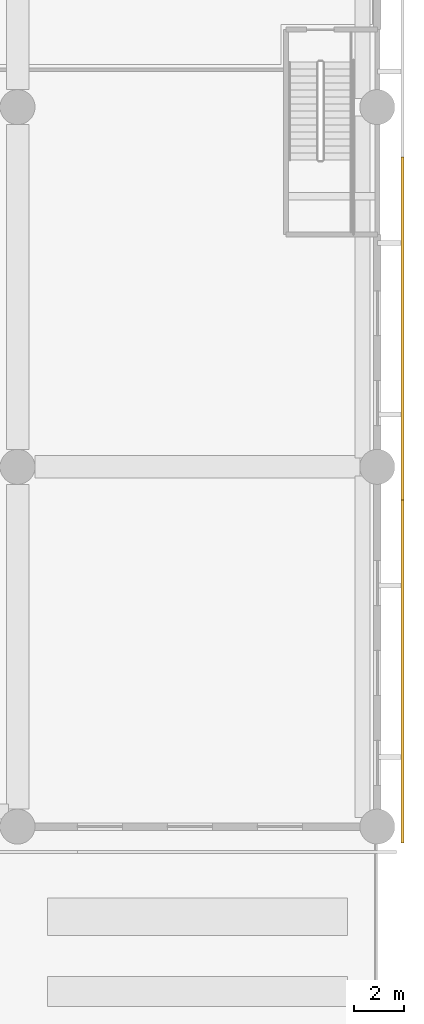
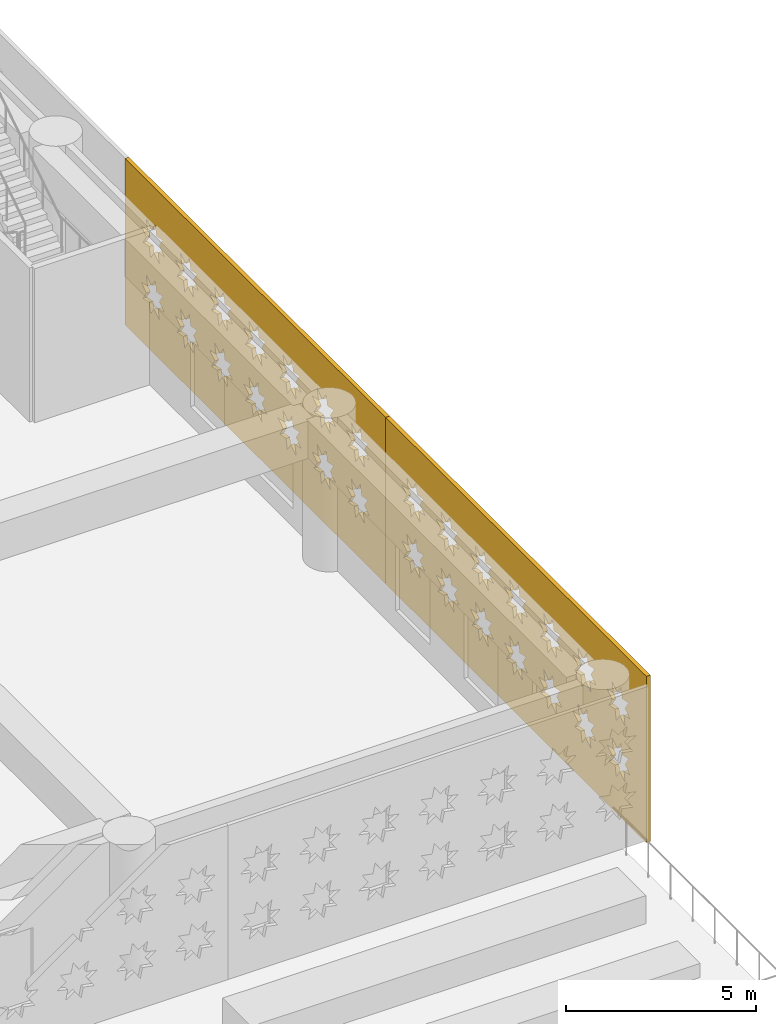
# One storey, part 18 of 24: 2 coverings.
"""IFC4 building model written with IfcOpenShell, lengths in metres."""

import ifcopenshell
import ifcopenshell.guid

model = None  # the IFC model being written
_history = None  # IfcOwnerHistory: only IFC2X3 demands one
_inside = {}  # id of a spatial element -> (the spatial element, [elements in it])
_under = {}  # id of a project, library or spatial element -> (it, [spatial elements below it])
_declared = {}  # id of a project -> (the project, [libraries it declares])
_typed = {}  # id of a type object -> (the type object, [elements of that type])
_made_of = {}  # id of a material, layer set ... -> (it, [elements and type objects made of it])


def new_model(schema):
    """Start an empty IFC model of exactly this schema.

    Asked for "IFC4X3", IfcOpenShell would pick the latest addendum, in which some entities
    have other attributes; the version numbers below select the first issue.
    IFC2X3 requires an IfcOwnerHistory on every rooted entity: one is made here for all.
    """
    global model, _history
    if schema == "IFC4X3":
        model = ifcopenshell.file(schema_version=(4, 3, 0, 0))
    else:
        model = ifcopenshell.file(schema=schema)
    _inside.clear()
    _under.clear()
    _declared.clear()
    _typed.clear()
    _made_of.clear()
    _history = None
    if model.schema == "IFC2X3":
        org = make("IfcOrganization", Name="unknown")
        user = make(
            "IfcPersonAndOrganization",
            ThePerson=make("IfcPerson", FamilyName="unknown"),
            TheOrganization=org,
        )
        app = make(
            "IfcApplication",
            ApplicationDeveloper=org,
            Version="unknown",
            ApplicationFullName="unknown",
            ApplicationIdentifier="unknown",
        )
        _history = make(
            "IfcOwnerHistory",
            OwningUser=user,
            OwningApplication=app,
            ChangeAction="ADDED",
            CreationDate=0,
        )
    return model


def make(cls, **values):
    """One entity of the class cls with the attributes given. An attribute that is None is left unset."""
    return model.create_entity(
        cls, **{name: value for name, value in values.items() if value is not None}
    )


def rooted(cls, **values):
    """An entity with a GlobalId (a new one), such as an element, a storey or a relation."""
    return make(cls, GlobalId=ifcopenshell.guid.new(), OwnerHistory=_history, **values)


def si_unit(unit_type, name, prefix=None):
    """IfcSIUnit, for example si_unit("LENGTHUNIT", "METRE", prefix="MILLI")."""
    return make("IfcSIUnit", UnitType=unit_type, Prefix=prefix, Name=name)


def assignment(units):
    """IfcUnitAssignment: the units of a project."""
    return None if units is None else make("IfcUnitAssignment", Units=units)


def point(xyz):
    """IfcCartesianPoint."""
    return None if xyz is None else make("IfcCartesianPoint", Coordinates=xyz)


def direction(xyz):
    """IfcDirection."""
    return None if xyz is None else make("IfcDirection", DirectionRatios=xyz)


def frame(location, z_axis=None, x_axis=None):
    """IfcAxis2Placement3D, a coordinate frame: its origin and axes. An axis left out is left unset."""
    return make(
        "IfcAxis2Placement3D",
        Location=point(location),
        Axis=direction(z_axis),
        RefDirection=direction(x_axis),
    )


def origin():
    """The frame at (0, 0, 0) with its axes left unset."""
    return frame((0.0, 0.0, 0.0))


def place(relative_to, where):
    """IfcLocalPlacement: puts the frame where relative to a parent placement (None: the world)."""
    return make(
        "IfcLocalPlacement", PlacementRelTo=relative_to, RelativePlacement=where
    )


def context(
    kind, dimensions, precision=None, world=None, true_north=None, identifier=None
):
    """IfcGeometricRepresentationContext, for example the 3D "Model" context."""
    return make(
        "IfcGeometricRepresentationContext",
        ContextIdentifier=identifier,
        ContextType=kind,
        CoordinateSpaceDimension=dimensions,
        Precision=precision,
        WorldCoordinateSystem=world,
        TrueNorth=true_north,
    )


def subcontext(parent, identifier, kind, view, scale=None):
    """IfcGeometricRepresentationSubContext, for example "Body" below "Model"."""
    return make(
        "IfcGeometricRepresentationSubContext",
        ContextIdentifier=identifier,
        ContextType=kind,
        ParentContext=parent,
        TargetScale=scale,
        TargetView=view,
    )


def project(units=None, contexts=None):
    """IfcProject with its units and contexts."""
    return rooted(
        "IfcProject",
        Name="project",
        RepresentationContexts=contexts,
        UnitsInContext=assignment(units),
    )


def spatial(cls, under=None, at=None, **own):
    """A site, building, storey or space (cls), placed at a placement, below another one or the project."""
    s = rooted(cls, ObjectPlacement=at, **own)
    if under is not None:
        _under.setdefault(under.id(), (under, []))[1].append(s)
    return s


def polyline(points):
    """IfcPolyline through the points."""
    return make("IfcPolyline", Points=[point(p) for p in points])


def outline(outer, holes=None, kind="AREA"):
    """IfcArbitraryClosedProfileDef: a profile drawn as a closed curve; with holes, ...WithVoids."""
    if holes is None:
        return make("IfcArbitraryClosedProfileDef", ProfileType=kind, OuterCurve=outer)
    return make(
        "IfcArbitraryProfileDefWithVoids",
        ProfileType=kind,
        OuterCurve=outer,
        InnerCurves=holes,
    )


def extrude(swept, where, along, depth):
    """IfcExtrudedAreaSolid: the profile swept, set in the frame where, extruded along a direction by depth."""
    return make(
        "IfcExtrudedAreaSolid",
        SweptArea=swept,
        Position=where,
        ExtrudedDirection=direction(along),
        Depth=depth,
    )


def shape(context_of_items, identifier, shape_type, items):
    """IfcShapeRepresentation: the items that make up one representation, for example the "Body"."""
    return make(
        "IfcShapeRepresentation",
        ContextOfItems=context_of_items,
        RepresentationIdentifier=identifier,
        RepresentationType=shape_type,
        Items=items,
    )


def material(Name=None, Category=None):
    """IfcMaterial."""
    return make("IfcMaterial", Name=Name, Category=Category)


def layer(
    of_material, thickness, ventilated=None, Name=None, Category=None, Priority=None
):
    """IfcMaterialLayer: one layer of a wall or slab, of a material (None: an air gap)."""
    return make(
        "IfcMaterialLayer",
        Material=of_material,
        LayerThickness=thickness,
        IsVentilated=ventilated,
        Name=Name,
        Category=Category,
        Priority=Priority,
    )


def layer_set(layers, Name=None):
    """IfcMaterialLayerSet."""
    return make("IfcMaterialLayerSet", MaterialLayers=layers, LayerSetName=Name)


def made_of(thing, what):
    """Note that an element or type object is made of a material, layer set ...; save() writes the relation."""
    if what is not None:
        _made_of.setdefault(what.id(), (what, []))[1].append(thing)
    return thing


def type_object(cls, material=None, **own):
    """A type object (cls), such as IfcWallType, which elements share."""
    return made_of(rooted(cls, **own), material)


def element(
    cls,
    number,
    at=None,
    inside=None,
    cuts=None,
    type_object=None,
    material=None,
    context=None,
    identifier="Body",
    shape_type=None,
    held_by="IfcProductDefinitionShape",
    body=None,
    shapes=None,
    **own,
):
    """One element of the class cls, such as IfcWall. Its Tag is "e" and its number.

    at: its placement. inside: the storey or other place that contains it. cuts: it is an
    opening in that element (IfcRelVoidsElement). A single representation is given by context,
    identifier, shape_type and body (its items); several are given by shapes. held_by: the class
    of the entity that holds the representations. save() writes the other relations.
    """
    e = rooted(cls, Tag="e%d" % number, ObjectPlacement=at, **own)
    if body is not None:
        shapes = [shape(context, identifier, shape_type, body)]
    if shapes is not None:
        e.Representation = make(held_by, Representations=shapes)
    if inside is not None:
        _inside.setdefault(inside.id(), (inside, []))[1].append(e)
    if cuts is not None:
        rooted(
            "IfcRelVoidsElement", RelatingBuildingElement=cuts, RelatedOpeningElement=e
        )
    if type_object is not None:
        _typed.setdefault(type_object.id(), (type_object, []))[1].append(e)
    return made_of(e, material)


def aggregate(whole, parts):
    """IfcRelAggregates: a whole, such as a stair, and the parts it consists of."""
    return rooted("IfcRelAggregates", RelatingObject=whole, RelatedObjects=parts)


def save(model, path):
    """Write the relations noted so far, then the file.

    IfcRelAggregates (storeys below a building ...), IfcRelContainedInSpatialStructure (elements
    in a storey), IfcRelDefinesByType, IfcRelAssociatesMaterial and IfcRelDeclares: one each for
    every whole, place, type object, material and project.
    """
    for whole, parts in _under.values():
        aggregate(whole, parts)
    for where, things in _inside.values():
        rooted(
            "IfcRelContainedInSpatialStructure",
            RelatedElements=things,
            RelatingStructure=where,
        )
    for kind, things in _typed.values():
        rooted("IfcRelDefinesByType", RelatedObjects=things, RelatingType=kind)
    for what, things in _made_of.values():
        rooted("IfcRelAssociatesMaterial", RelatedObjects=things, RelatingMaterial=what)
    for by, libraries in _declared.values():
        rooted("IfcRelDeclares", RelatingContext=by, RelatedDefinitions=libraries)
    model.write(path)


model = new_model("IFC4")

# Units and contexts
model_context = context("Model", 3, precision=1e-05, world=origin(), true_north=direction((0.0, 1.0)))
body_context = subcontext(model_context, "Body", "Model", "MODEL_VIEW")
ifc_project = project(units=[si_unit("LENGTHUNIT", "METRE"), si_unit("AREAUNIT", "SQUARE_METRE"), si_unit("VOLUMEUNIT", "CUBIC_METRE"), si_unit("PLANEANGLEUNIT", "RADIAN"), si_unit("MASSUNIT", "GRAM", prefix="KILO")], contexts=[model_context])

# Site, building, storey
site_placement = place(None, origin())
site = spatial("IfcSite", under=ifc_project, at=site_placement, CompositionType="ELEMENT")
building_placement = place(site_placement, origin())
building = spatial("IfcBuilding", under=site, at=building_placement, Name="Saffron Iwan Residences", CompositionType="ELEMENT")
storey_placement = place(building_placement, frame((0.0, 0.0, 21.60009765625)))
storey = spatial("IfcBuildingStorey", under=building, at=storey_placement, Name="L04", CompositionType="ELEMENT", Elevation=21.60009765625)

# Coverings
ifc_material = material(Name="Terracotta screen, precast concrete C40/50", Category="masonry")
ifc_layer = layer(ifc_material, 0.1201171875)
ifc_layer_set = layer_set([ifc_layer], Name="Terracotta screen, precast concrete C40/50")
covering_type = type_object("IfcCoveringType", Name="PODIUM SCREEN GIRIH", PredefinedType="CLADDING", material=ifc_layer_set)
covering_1_placement = place(storey_placement, frame((101.75, 18.550048828125, -0.400146484375), z_axis=(1.0, 0.0, 0.0), x_axis=(0.0, 1.0, 0.0)))
element("IfcCovering", 1, at=covering_1_placement, inside=storey, type_object=covering_type, Name="SCREEN girih terracotta L04 F1.0", PredefinedType="CLADDING", context=body_context, shape_type="SweptSolid", body=[
    extrude(outline(polyline([(0.0, 0.0), (13.72412109375, 0.0), (13.72412109375, 5.35009765625), (0.0, 5.35009765625), (0.0, 0.0)]), holes=[polyline([(2.070068359375, 1.89599609375), (1.74462890625, 1.9638671875), (1.806396484375, 2.29052734375), (1.5283203125, 2.1083984375), (1.341064453125, 2.383056640625), (1.273193359375, 2.0576171875), (0.946533203125, 2.119384765625), (1.12841796875, 1.84130859375), (0.85400390625, 1.654052734375), (1.17919921875, 1.586181640625), (1.117431640625, 1.259521484375), (1.395751953125, 1.44140625), (1.5830078125, 1.1669921875), (1.65087890625, 1.4921875), (1.9775390625, 1.430419921875), (1.79541015625, 1.708740234375), (2.070068359375, 1.89599609375)]), polyline([(2.070068359375, 3.696044921875), (1.74462890625, 3.763916015625), (1.806396484375, 4.090576171875), (1.5283203125, 3.908447265625), (1.341064453125, 4.18310546875), (1.273193359375, 3.857666015625), (0.946533203125, 3.91943359375), (1.12841796875, 3.641357421875), (0.85400390625, 3.4541015625), (1.17919921875, 3.385986328125), (1.117431640625, 3.0595703125), (1.395751953125, 3.241455078125), (1.5830078125, 2.966796875), (1.65087890625, 3.292236328125), (1.9775390625, 3.23046875), (1.79541015625, 3.5087890625), (2.070068359375, 3.696044921875)]), polyline([(3.8701171875, 1.89599609375), (3.544677734375, 1.9638671875), (3.6064453125, 2.29052734375), (3.328369140625, 2.1083984375), (3.14111328125, 2.383056640625), (3.072998046875, 2.0576171875), (2.74658203125, 2.119384765625), (2.928466796875, 1.84130859375), (2.65380859375, 1.654052734375), (2.979248046875, 1.586181640625), (2.91748046875, 1.259521484375), (3.19580078125, 1.44140625), (3.383056640625, 1.1669921875), (3.450927734375, 1.4921875), (3.777587890625, 1.430419921875), (3.595458984375, 1.708740234375), (3.8701171875, 1.89599609375)]), polyline([(3.8701171875, 3.696044921875), (3.544677734375, 3.763916015625), (3.6064453125, 4.090576171875), (3.328369140625, 3.908447265625), (3.14111328125, 4.18310546875), (3.072998046875, 3.857666015625), (2.74658203125, 3.91943359375), (2.928466796875, 3.641357421875), (2.65380859375, 3.4541015625), (2.979248046875, 3.385986328125), (2.91748046875, 3.0595703125), (3.19580078125, 3.241455078125), (3.383056640625, 2.966796875), (3.450927734375, 3.292236328125), (3.777587890625, 3.23046875), (3.595458984375, 3.5087890625), (3.8701171875, 3.696044921875)]), polyline([(5.670166015625, 1.89599609375), (5.3447265625, 1.9638671875), (5.406494140625, 2.29052734375), (5.12841796875, 2.1083984375), (4.94091796875, 2.383056640625), (4.873046875, 2.0576171875), (4.54638671875, 2.119384765625), (4.728515625, 1.84130859375), (4.453857421875, 1.654052734375), (4.779296875, 1.586181640625), (4.717529296875, 1.259521484375), (4.99560546875, 1.44140625), (5.18310546875, 1.1669921875), (5.2509765625, 1.4921875), (5.577392578125, 1.430419921875), (5.3955078125, 1.708740234375), (5.670166015625, 1.89599609375)]), polyline([(5.670166015625, 3.696044921875), (5.3447265625, 3.763916015625), (5.406494140625, 4.090576171875), (5.12841796875, 3.908447265625), (4.94091796875, 4.18310546875), (4.873046875, 3.857666015625), (4.54638671875, 3.91943359375), (4.728515625, 3.641357421875), (4.453857421875, 3.4541015625), (4.779296875, 3.385986328125), (4.717529296875, 3.0595703125), (4.99560546875, 3.241455078125), (5.18310546875, 2.966796875), (5.2509765625, 3.292236328125), (5.577392578125, 3.23046875), (5.3955078125, 3.5087890625), (5.670166015625, 3.696044921875)]), polyline([(7.47021484375, 1.89599609375), (7.144775390625, 1.9638671875), (7.20654296875, 2.29052734375), (6.92822265625, 2.1083984375), (6.740966796875, 2.383056640625), (6.673095703125, 2.0576171875), (6.346435546875, 2.119384765625), (6.528564453125, 1.84130859375), (6.25390625, 1.654052734375), (6.579345703125, 1.586181640625), (6.517578125, 1.259521484375), (6.795654296875, 1.44140625), (6.98291015625, 1.1669921875), (7.05078125, 1.4921875), (7.37744140625, 1.430419921875), (7.195556640625, 1.708740234375), (7.47021484375, 1.89599609375)]), polyline([(7.47021484375, 3.696044921875), (7.144775390625, 3.763916015625), (7.20654296875, 4.090576171875), (6.92822265625, 3.908447265625), (6.740966796875, 4.18310546875), (6.673095703125, 3.857666015625), (6.346435546875, 3.91943359375), (6.528564453125, 3.641357421875), (6.25390625, 3.4541015625), (6.579345703125, 3.385986328125), (6.517578125, 3.0595703125), (6.795654296875, 3.241455078125), (6.98291015625, 2.966796875), (7.05078125, 3.292236328125), (7.37744140625, 3.23046875), (7.195556640625, 3.5087890625), (7.47021484375, 3.696044921875)]), polyline([(9.27001953125, 1.89599609375), (8.944580078125, 1.9638671875), (9.006591796875, 2.29052734375), (8.728271484375, 2.1083984375), (8.541015625, 2.383056640625), (8.47314453125, 2.0576171875), (8.146484375, 2.119384765625), (8.32861328125, 1.84130859375), (8.053955078125, 1.654052734375), (8.37939453125, 1.586181640625), (8.3173828125, 1.259521484375), (8.595703125, 1.44140625), (8.782958984375, 1.1669921875), (8.850830078125, 1.4921875), (9.177490234375, 1.430419921875), (8.99560546875, 1.708740234375), (9.27001953125, 1.89599609375)]), polyline([(9.27001953125, 3.696044921875), (8.944580078125, 3.763916015625), (9.006591796875, 4.090576171875), (8.728271484375, 3.908447265625), (8.541015625, 4.18310546875), (8.47314453125, 3.857666015625), (8.146484375, 3.91943359375), (8.32861328125, 3.641357421875), (8.053955078125, 3.4541015625), (8.37939453125, 3.385986328125), (8.3173828125, 3.0595703125), (8.595703125, 3.241455078125), (8.782958984375, 2.966796875), (8.850830078125, 3.292236328125), (9.177490234375, 3.23046875), (8.99560546875, 3.5087890625), (9.27001953125, 3.696044921875)]), polyline([(11.070068359375, 1.89599609375), (10.74462890625, 1.9638671875), (10.806396484375, 2.29052734375), (10.5283203125, 2.1083984375), (10.341064453125, 2.383056640625), (10.273193359375, 2.0576171875), (9.946533203125, 2.119384765625), (10.12841796875, 1.84130859375), (9.85400390625, 1.654052734375), (10.17919921875, 1.586181640625), (10.117431640625, 1.259521484375), (10.395751953125, 1.44140625), (10.5830078125, 1.1669921875), (10.65087890625, 1.4921875), (10.9775390625, 1.430419921875), (10.79541015625, 1.708740234375), (11.070068359375, 1.89599609375)]), polyline([(11.070068359375, 3.696044921875), (10.74462890625, 3.763916015625), (10.806396484375, 4.090576171875), (10.5283203125, 3.908447265625), (10.341064453125, 4.18310546875), (10.273193359375, 3.857666015625), (9.946533203125, 3.91943359375), (10.12841796875, 3.641357421875), (9.85400390625, 3.4541015625), (10.17919921875, 3.385986328125), (10.117431640625, 3.0595703125), (10.395751953125, 3.241455078125), (10.5830078125, 2.966796875), (10.65087890625, 3.292236328125), (10.9775390625, 3.23046875), (10.79541015625, 3.5087890625), (11.070068359375, 3.696044921875)]), polyline([(12.8701171875, 1.89599609375), (12.544677734375, 1.9638671875), (12.6064453125, 2.29052734375), (12.328369140625, 2.1083984375), (12.14111328125, 2.383056640625), (12.072998046875, 2.0576171875), (11.74658203125, 2.119384765625), (11.928466796875, 1.84130859375), (11.65380859375, 1.654052734375), (11.979248046875, 1.586181640625), (11.91748046875, 1.259521484375), (12.19580078125, 1.44140625), (12.383056640625, 1.1669921875), (12.450927734375, 1.4921875), (12.777587890625, 1.430419921875), (12.595458984375, 1.708740234375), (12.8701171875, 1.89599609375)]), polyline([(12.8701171875, 3.696044921875), (12.544677734375, 3.763916015625), (12.6064453125, 4.090576171875), (12.328369140625, 3.908447265625), (12.14111328125, 4.18310546875), (12.072998046875, 3.857666015625), (11.74658203125, 3.91943359375), (11.928466796875, 3.641357421875), (11.65380859375, 3.4541015625), (11.979248046875, 3.385986328125), (11.91748046875, 3.0595703125), (12.19580078125, 3.241455078125), (12.383056640625, 2.966796875), (12.450927734375, 3.292236328125), (12.777587890625, 3.23046875), (12.595458984375, 3.5087890625), (12.8701171875, 3.696044921875)])]), origin(), (0.0, 0.0, 1.0), 0.1201171875),
])
covering_2_placement = place(storey_placement, frame((101.75, 32.27392578125, -0.400146484375), z_axis=(1.0, 0.0, 0.0), x_axis=(0.0, 1.0, 0.0)))
element("IfcCovering", 2, at=covering_2_placement, inside=storey, type_object=covering_type, Name="SCREEN girih terracotta L04 F1.1", PredefinedType="CLADDING", context=body_context, shape_type="SweptSolid", body=[
    extrude(outline(polyline([(0.0, 0.0), (13.72412109375, 0.0), (13.72412109375, 5.35009765625), (0.0, 5.35009765625), (0.0, 0.0)]), holes=[polyline([(2.070068359375, 1.89599609375), (1.74462890625, 1.9638671875), (1.806396484375, 2.29052734375), (1.5283203125, 2.1083984375), (1.341064453125, 2.383056640625), (1.273193359375, 2.0576171875), (0.946533203125, 2.119384765625), (1.12841796875, 1.84130859375), (0.85400390625, 1.654052734375), (1.17919921875, 1.586181640625), (1.117431640625, 1.259521484375), (1.395751953125, 1.44140625), (1.5830078125, 1.1669921875), (1.65087890625, 1.4921875), (1.9775390625, 1.430419921875), (1.79541015625, 1.708740234375), (2.070068359375, 1.89599609375)]), polyline([(2.070068359375, 3.696044921875), (1.74462890625, 3.763916015625), (1.806396484375, 4.090576171875), (1.5283203125, 3.908447265625), (1.341064453125, 4.18310546875), (1.273193359375, 3.857666015625), (0.946533203125, 3.91943359375), (1.12841796875, 3.641357421875), (0.85400390625, 3.4541015625), (1.17919921875, 3.385986328125), (1.117431640625, 3.0595703125), (1.395751953125, 3.241455078125), (1.5830078125, 2.966796875), (1.65087890625, 3.292236328125), (1.9775390625, 3.23046875), (1.79541015625, 3.5087890625), (2.070068359375, 3.696044921875)]), polyline([(3.8701171875, 1.89599609375), (3.544677734375, 1.9638671875), (3.6064453125, 2.29052734375), (3.328369140625, 2.1083984375), (3.14111328125, 2.383056640625), (3.072998046875, 2.0576171875), (2.74658203125, 2.119384765625), (2.928466796875, 1.84130859375), (2.65380859375, 1.654052734375), (2.979248046875, 1.586181640625), (2.91748046875, 1.259521484375), (3.19580078125, 1.44140625), (3.383056640625, 1.1669921875), (3.450927734375, 1.4921875), (3.777587890625, 1.430419921875), (3.595458984375, 1.708740234375), (3.8701171875, 1.89599609375)]), polyline([(3.8701171875, 3.696044921875), (3.544677734375, 3.763916015625), (3.6064453125, 4.090576171875), (3.328369140625, 3.908447265625), (3.14111328125, 4.18310546875), (3.072998046875, 3.857666015625), (2.74658203125, 3.91943359375), (2.928466796875, 3.641357421875), (2.65380859375, 3.4541015625), (2.979248046875, 3.385986328125), (2.91748046875, 3.0595703125), (3.19580078125, 3.241455078125), (3.383056640625, 2.966796875), (3.450927734375, 3.292236328125), (3.777587890625, 3.23046875), (3.595458984375, 3.5087890625), (3.8701171875, 3.696044921875)]), polyline([(5.670166015625, 1.89599609375), (5.3447265625, 1.9638671875), (5.406494140625, 2.29052734375), (5.12841796875, 2.1083984375), (4.94091796875, 2.383056640625), (4.873046875, 2.0576171875), (4.54638671875, 2.119384765625), (4.728515625, 1.84130859375), (4.453857421875, 1.654052734375), (4.779296875, 1.586181640625), (4.717529296875, 1.259521484375), (4.99560546875, 1.44140625), (5.18310546875, 1.1669921875), (5.2509765625, 1.4921875), (5.577392578125, 1.430419921875), (5.3955078125, 1.708740234375), (5.670166015625, 1.89599609375)]), polyline([(5.670166015625, 3.696044921875), (5.3447265625, 3.763916015625), (5.406494140625, 4.090576171875), (5.12841796875, 3.908447265625), (4.94091796875, 4.18310546875), (4.873046875, 3.857666015625), (4.54638671875, 3.91943359375), (4.728515625, 3.641357421875), (4.453857421875, 3.4541015625), (4.779296875, 3.385986328125), (4.717529296875, 3.0595703125), (4.99560546875, 3.241455078125), (5.18310546875, 2.966796875), (5.2509765625, 3.292236328125), (5.577392578125, 3.23046875), (5.3955078125, 3.5087890625), (5.670166015625, 3.696044921875)]), polyline([(7.47021484375, 1.89599609375), (7.144775390625, 1.9638671875), (7.20654296875, 2.29052734375), (6.92822265625, 2.1083984375), (6.740966796875, 2.383056640625), (6.673095703125, 2.0576171875), (6.346435546875, 2.119384765625), (6.528564453125, 1.84130859375), (6.25390625, 1.654052734375), (6.579345703125, 1.586181640625), (6.517578125, 1.259521484375), (6.795654296875, 1.44140625), (6.98291015625, 1.1669921875), (7.05078125, 1.4921875), (7.37744140625, 1.430419921875), (7.195556640625, 1.708740234375), (7.47021484375, 1.89599609375)]), polyline([(7.47021484375, 3.696044921875), (7.144775390625, 3.763916015625), (7.20654296875, 4.090576171875), (6.92822265625, 3.908447265625), (6.740966796875, 4.18310546875), (6.673095703125, 3.857666015625), (6.346435546875, 3.91943359375), (6.528564453125, 3.641357421875), (6.25390625, 3.4541015625), (6.579345703125, 3.385986328125), (6.517578125, 3.0595703125), (6.795654296875, 3.241455078125), (6.98291015625, 2.966796875), (7.05078125, 3.292236328125), (7.37744140625, 3.23046875), (7.195556640625, 3.5087890625), (7.47021484375, 3.696044921875)]), polyline([(9.27001953125, 1.89599609375), (8.944580078125, 1.9638671875), (9.006591796875, 2.29052734375), (8.728271484375, 2.1083984375), (8.541015625, 2.383056640625), (8.47314453125, 2.0576171875), (8.146484375, 2.119384765625), (8.32861328125, 1.84130859375), (8.053955078125, 1.654052734375), (8.37939453125, 1.586181640625), (8.3173828125, 1.259521484375), (8.595703125, 1.44140625), (8.782958984375, 1.1669921875), (8.850830078125, 1.4921875), (9.177490234375, 1.430419921875), (8.99560546875, 1.708740234375), (9.27001953125, 1.89599609375)]), polyline([(9.27001953125, 3.696044921875), (8.944580078125, 3.763916015625), (9.006591796875, 4.090576171875), (8.728271484375, 3.908447265625), (8.541015625, 4.18310546875), (8.47314453125, 3.857666015625), (8.146484375, 3.91943359375), (8.32861328125, 3.641357421875), (8.053955078125, 3.4541015625), (8.37939453125, 3.385986328125), (8.3173828125, 3.0595703125), (8.595703125, 3.241455078125), (8.782958984375, 2.966796875), (8.850830078125, 3.292236328125), (9.177490234375, 3.23046875), (8.99560546875, 3.5087890625), (9.27001953125, 3.696044921875)]), polyline([(11.070068359375, 1.89599609375), (10.74462890625, 1.9638671875), (10.806396484375, 2.29052734375), (10.5283203125, 2.1083984375), (10.341064453125, 2.383056640625), (10.273193359375, 2.0576171875), (9.946533203125, 2.119384765625), (10.12841796875, 1.84130859375), (9.85400390625, 1.654052734375), (10.17919921875, 1.586181640625), (10.117431640625, 1.259521484375), (10.395751953125, 1.44140625), (10.5830078125, 1.1669921875), (10.65087890625, 1.4921875), (10.9775390625, 1.430419921875), (10.79541015625, 1.708740234375), (11.070068359375, 1.89599609375)]), polyline([(11.070068359375, 3.696044921875), (10.74462890625, 3.763916015625), (10.806396484375, 4.090576171875), (10.5283203125, 3.908447265625), (10.341064453125, 4.18310546875), (10.273193359375, 3.857666015625), (9.946533203125, 3.91943359375), (10.12841796875, 3.641357421875), (9.85400390625, 3.4541015625), (10.17919921875, 3.385986328125), (10.117431640625, 3.0595703125), (10.395751953125, 3.241455078125), (10.5830078125, 2.966796875), (10.65087890625, 3.292236328125), (10.9775390625, 3.23046875), (10.79541015625, 3.5087890625), (11.070068359375, 3.696044921875)]), polyline([(12.8701171875, 1.89599609375), (12.544677734375, 1.9638671875), (12.6064453125, 2.29052734375), (12.328369140625, 2.1083984375), (12.14111328125, 2.383056640625), (12.072998046875, 2.0576171875), (11.74658203125, 2.119384765625), (11.928466796875, 1.84130859375), (11.65380859375, 1.654052734375), (11.979248046875, 1.586181640625), (11.91748046875, 1.259521484375), (12.19580078125, 1.44140625), (12.383056640625, 1.1669921875), (12.450927734375, 1.4921875), (12.777587890625, 1.430419921875), (12.595458984375, 1.708740234375), (12.8701171875, 1.89599609375)]), polyline([(12.8701171875, 3.696044921875), (12.544677734375, 3.763916015625), (12.6064453125, 4.090576171875), (12.328369140625, 3.908447265625), (12.14111328125, 4.18310546875), (12.072998046875, 3.857666015625), (11.74658203125, 3.91943359375), (11.928466796875, 3.641357421875), (11.65380859375, 3.4541015625), (11.979248046875, 3.385986328125), (11.91748046875, 3.0595703125), (12.19580078125, 3.241455078125), (12.383056640625, 2.966796875), (12.450927734375, 3.292236328125), (12.777587890625, 3.23046875), (12.595458984375, 3.5087890625), (12.8701171875, 3.696044921875)])]), origin(), (0.0, 0.0, 1.0), 0.1201171875),
])

save(model, "model.ifc")
